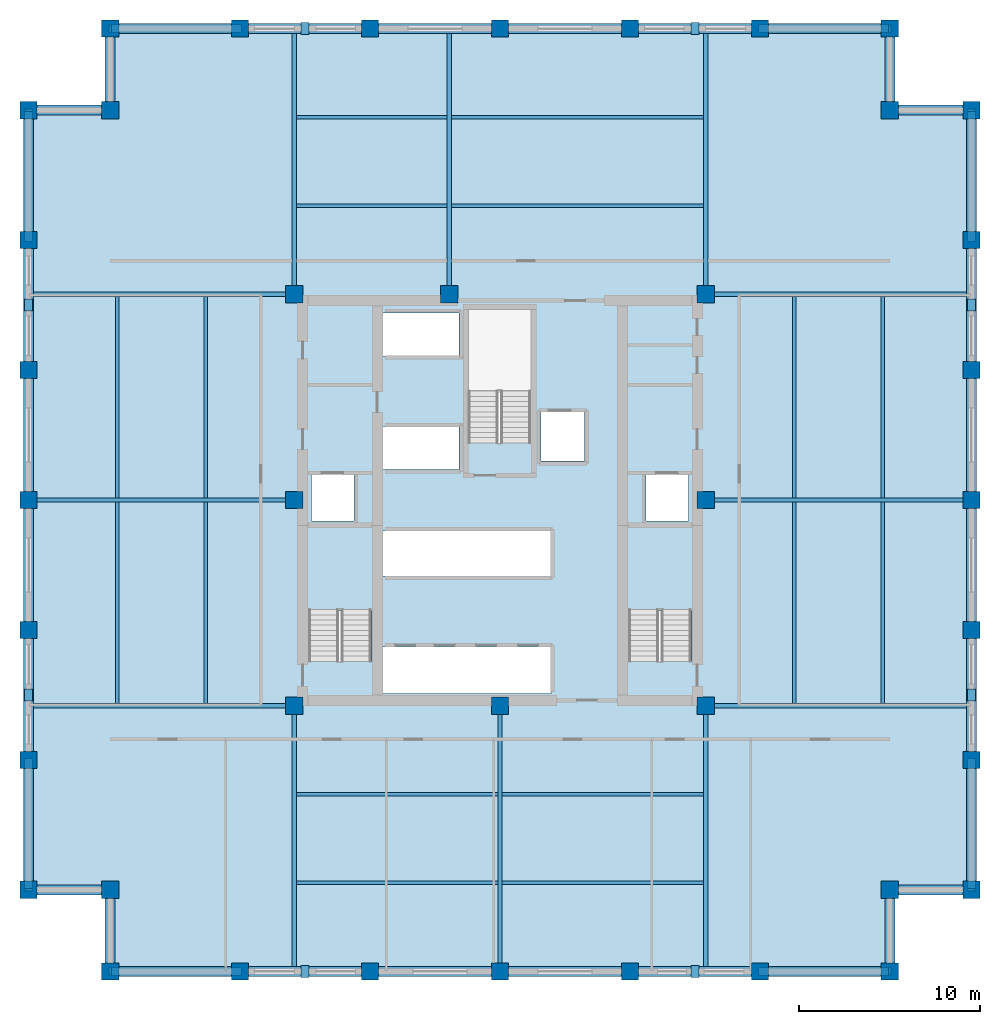
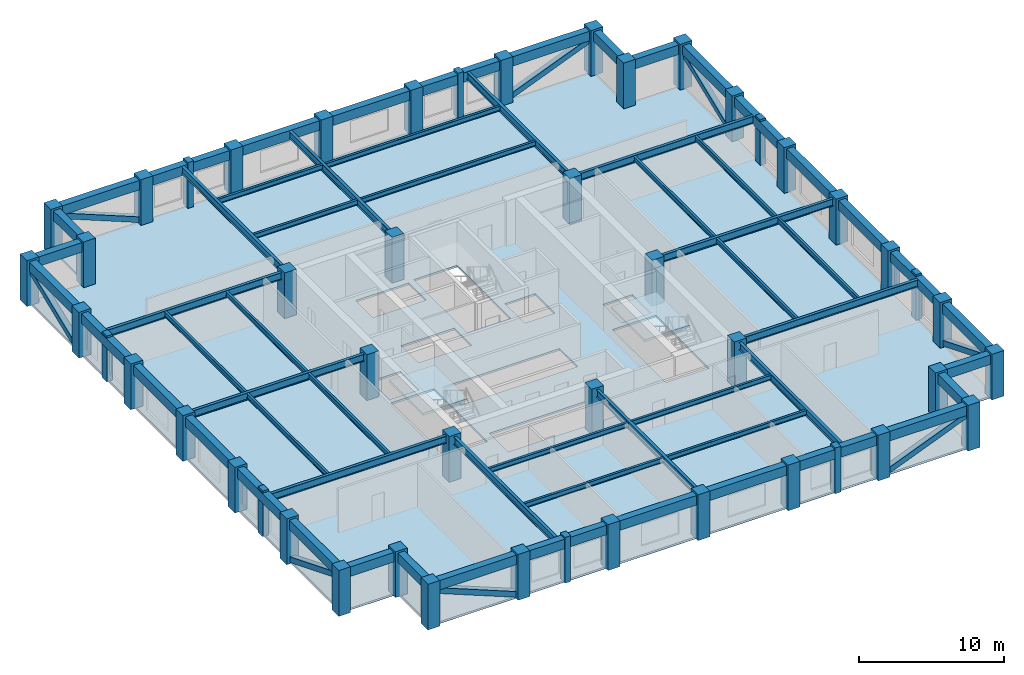
# One storey, part 1 of 6: 60 beams, 40 columns, 16 members, 3 slabs, 2 elements without a shape of their own.
"""IFC4 building model written with IfcOpenShell, lengths in metres."""

from ifc_helpers import new_model, si_unit, direction, frame, origin, origin_2d, place, context, subcontext, project, spatial, polyline, rectangle, hollow_rectangle, i_section, outline, extrude, material, layer, layer_set, material_profile, profile_set, type_object, element, aggregate, save


model = new_model("IFC4")

# Units and contexts
model_context = context("Model", 3, precision=1e-05, world=origin(), true_north=direction((0.0, 1.0)))
body_context = subcontext(model_context, "Body", "Model", "MODEL_VIEW")
ifc_project = project(units=[si_unit("LENGTHUNIT", "METRE"), si_unit("AREAUNIT", "SQUARE_METRE"), si_unit("VOLUMEUNIT", "CUBIC_METRE"), si_unit("PLANEANGLEUNIT", "RADIAN"), si_unit("MASSUNIT", "GRAM", prefix="KILO")], contexts=[model_context])

# Site, building, storey
site_placement = place(None, origin())
site = spatial("IfcSite", under=ifc_project, at=site_placement, CompositionType="ELEMENT")
building_placement = place(site_placement, origin())
building = spatial("IfcBuilding", under=site, at=building_placement, Name="Nhamokura Convention Tower", CompositionType="ELEMENT")
storey_placement = place(building_placement, frame((0.0, 0.0, 160.64990234375)))
storey = spatial("IfcBuildingStorey", under=building, at=storey_placement, Name="L39", CompositionType="ELEMENT", Elevation=160.64990234375)

# Columns
ifc_material_1 = material(Name="Concrete C60/75", Category="concrete")
ifc_material_profile_1 = material_profile(ifc_material_1, rectangle(XDim=0.949951171875, YDim=0.949951171875, at=origin_2d()))
ifc_profile_set_1 = profile_set([ifc_material_profile_1], Name="Concrete C60/75")
column_type = type_object("IfcColumnType", Name="TubeColumn_Z2_950", PredefinedType="COLUMN", material=ifc_profile_set_1)
for number, where, z_axis, x_axis, name in (
    (1, (20.64990234375, 20.64990234375, 0.0), (0.0, 0.0, 1.0), (1.0, 0.0, 0.0), "L39 Core Column CC-SW"),
    (2, (32.0, 20.64990234375, 0.0), (0.0, 0.0, 1.0), (1.0, 0.0, 0.0), "L39 Core Column CC-S"),
    (3, (43.35009765625, 20.64990234375, 0.0), (0.0, 0.0, 1.0), (1.0, 0.0, 0.0), "L39 Core Column CC-SE"),
    (4, (43.35009765625, 32.0, 0.0), (0.0, 0.0, 1.0), (1.0, 0.0, 0.0), "L39 Core Column CC-E"),
    (5, (43.35009765625, 43.35009765625, 0.0), (0.0, 0.0, 1.0), (1.0, 0.0, 0.0), "L39 Core Column CC-NE"),
    (6, (29.199951171875, 43.35009765625, 0.0), (0.0, 0.0, 1.0), (1.0, 0.0, 0.0), "L39 Core Column CC-N"),
    (7, (20.64990234375, 43.35009765625, 0.0), (0.0, 0.0, 1.0), (1.0, 0.0, 0.0), "L39 Core Column CC-NW"),
    (8, (20.64990234375, 32.0, 0.0), (0.0, 0.0, 1.0), (1.0, 0.0, 0.0), "L39 Core Column CC-W"),
    (9, (10.5, 6.0, 0.0), (0.0, 0.0, 1.0), (1.0, 0.0, 0.0), "L39 Perimeter Tube Column SW1"),
    (10, (10.5, 10.5, 0.0), (0.0, 0.0, 1.0), (1.0, 0.0, 0.0), "L39 Perimeter Tube Column SW0"),
    (11, (6.0, 10.5, 0.0), (0.0, 0.0, 1.0), (1.0, 0.0, 0.0), "L39 Perimeter Tube Column SW2"),
    (12, (53.5, 6.0, 0.0), (0.0, 0.0, 1.0), (1.0, 0.0, 0.0), "L39 Perimeter Tube Column SE1"),
    (13, (53.5, 10.5, 0.0), (0.0, 0.0, 1.0), (1.0, 0.0, 0.0), "L39 Perimeter Tube Column SE0"),
    (14, (58.0, 10.5, 0.0), (0.0, 0.0, 1.0), (1.0, 0.0, 0.0), "L39 Perimeter Tube Column SE2"),
    (15, (58.0, 53.5, 0.0), (0.0, 0.0, 1.0), (1.0, 0.0, 0.0), "L39 Perimeter Tube Column NE1"),
    (16, (53.5, 53.5, 0.0), (0.0, 0.0, 1.0), (1.0, 0.0, 0.0), "L39 Perimeter Tube Column NE0"),
    (17, (53.5, 58.0, 0.0), (0.0, 0.0, 1.0), (1.0, 0.0, 0.0), "L39 Perimeter Tube Column NE2"),
    (18, (10.5, 58.0, 0.0), (0.0, 0.0, 1.0), (1.0, 0.0, 0.0), "L39 Perimeter Tube Column NW1"),
    (19, (10.5, 53.5, 0.0), (0.0, 0.0, 1.0), (1.0, 0.0, 0.0), "L39 Perimeter Tube Column NW0"),
    (20, (6.0, 53.5, 0.0), (0.0, 0.0, 1.0), (1.0, 0.0, 0.0), "L39 Perimeter Tube Column NW2"),
    (21, (17.666748046875, 6.0, 0.0), (0.0, 0.0, 1.0), (1.0, 0.0, 0.0), "L39 Perimeter Tube Column S1"),
    (22, (17.666748046875, 58.0, 0.0), (0.0, 0.0, 1.0), (1.0, 0.0, 0.0), "L39 Perimeter Tube Column N1"),
    (23, (6.0, 17.666748046875, 0.0), (0.0, 0.0, 1.0), (1.0, 0.0, 0.0), "L39 Perimeter Tube Column W1"),
    (24, (58.0, 17.666748046875, 0.0), (0.0, 0.0, 1.0), (1.0, 0.0, 0.0), "L39 Perimeter Tube Column E1"),
    (25, (24.833251953125, 6.0, 0.0), (0.0, 0.0, 1.0), (1.0, 0.0, 0.0), "L39 Perimeter Tube Column S2"),
    (26, (24.833251953125, 58.0, 0.0), (0.0, 0.0, 1.0), (1.0, 0.0, 0.0), "L39 Perimeter Tube Column N2"),
    (27, (6.0, 24.833251953125, 0.0), (0.0, 0.0, 1.0), (1.0, 0.0, 0.0), "L39 Perimeter Tube Column W2"),
    (28, (58.0, 24.833251953125, 0.0), (0.0, 0.0, 1.0), (1.0, 0.0, 0.0), "L39 Perimeter Tube Column E2"),
    (29, (32.0, 6.0, 0.0), (0.0, 0.0, 1.0), (1.0, 0.0, 0.0), "L39 Perimeter Tube Column S3"),
    (30, (32.0, 58.0, 0.0), (0.0, 0.0, 1.0), (1.0, 0.0, 0.0), "L39 Perimeter Tube Column N3"),
    (31, (6.0, 32.0, 0.0), (0.0, 0.0, 1.0), (1.0, 0.0, 0.0), "L39 Perimeter Tube Column W3"),
    (32, (58.0, 32.0, 0.0), (0.0, 0.0, 1.0), (1.0, 0.0, 0.0), "L39 Perimeter Tube Column E3"),
    (33, (39.166748046875, 6.0, 0.0), (0.0, 0.0, 1.0), (1.0, 0.0, 0.0), "L39 Perimeter Tube Column S4"),
    (34, (39.166748046875, 58.0, 0.0), (0.0, 0.0, 1.0), (1.0, 0.0, 0.0), "L39 Perimeter Tube Column N4"),
    (35, (6.0, 39.166748046875, 0.0), (0.0, 0.0, 1.0), (1.0, 0.0, 0.0), "L39 Perimeter Tube Column W4"),
    (36, (58.0, 39.166748046875, 0.0), (0.0, 0.0, 1.0), (1.0, 0.0, 0.0), "L39 Perimeter Tube Column E4"),
    (37, (46.333251953125, 6.0, 0.0), (0.0, 0.0, 1.0), (1.0, 0.0, 0.0), "L39 Perimeter Tube Column S5"),
    (38, (46.333251953125, 58.0, 0.0), (0.0, 0.0, 1.0), (1.0, 0.0, 0.0), "L39 Perimeter Tube Column N5"),
    (39, (6.0, 46.333251953125, 0.0), (0.0, 0.0, 1.0), (1.0, 0.0, 0.0), "L39 Perimeter Tube Column W5"),
    (40, (58.0, 46.333251953125, 0.0), (0.0, 0.0, 1.0), (1.0, 0.0, 0.0), "L39 Perimeter Tube Column E5"),
):
    element("IfcColumn", number, at=place(storey_placement, frame(where, z_axis=z_axis, x_axis=x_axis)), inside=storey, type_object=column_type, Name=name, PredefinedType="COLUMN", context=body_context, shape_type="SweptSolid", body=[
        extrude(rectangle(XDim=0.949951171875, YDim=0.949951171875, at=origin_2d()), origin(), (0.0, 0.0, 1.0), 3.85009765625),
    ])

# Members
ifc_material_2 = material(Name="Bronze-pigmented precast concrete C45/55", Category="concrete")
ifc_material_profile_2 = material_profile(ifc_material_2, rectangle(XDim=0.449951171875, YDim=0.64990234375, at=origin_2d()))
ifc_profile_set_2 = profile_set([ifc_material_profile_2], Name="Bronze-pigmented precast concrete C45/55")
member_type_1 = type_object("IfcMemberType", Name="BronzePilaster_650", PredefinedType="USERDEFINED", material=ifc_profile_set_2)
for number, where, z_axis, x_axis, name in (
    (41, (21.25, 6.0, 0.0), (0.0, 0.0, 1.0), (1.0, 0.0, 0.0), "L39 Engaged Frame Pilaster SOUTH 1"),
    (42, (42.75, 6.0, 0.0), (0.0, 0.0, 1.0), (1.0, 0.0, 0.0), "L39 Engaged Frame Pilaster SOUTH 4"),
    (43, (21.25, 58.0, 0.0), (0.0, 0.0, 1.0), (1.0, 0.0, 0.0), "L39 Engaged Frame Pilaster NORTH 1"),
    (44, (42.75, 58.0, 0.0), (0.0, 0.0, 1.0), (1.0, 0.0, 0.0), "L39 Engaged Frame Pilaster NORTH 4"),
    (45, (6.0, 21.25, 0.0), (0.0, 0.0, 1.0), (1.0, 0.0, 0.0), "L39 Engaged Frame Pilaster WEST 1"),
    (46, (6.0, 42.75, 0.0), (0.0, 0.0, 1.0), (1.0, 0.0, 0.0), "L39 Engaged Frame Pilaster WEST 4"),
    (47, (58.0, 21.25, 0.0), (0.0, 0.0, 1.0), (1.0, 0.0, 0.0), "L39 Engaged Frame Pilaster EAST 1"),
    (48, (58.0, 42.75, 0.0), (0.0, 0.0, 1.0), (1.0, 0.0, 0.0), "L39 Engaged Frame Pilaster EAST 4"),
):
    element("IfcMember", number, at=place(storey_placement, frame(where, z_axis=z_axis, x_axis=x_axis)), inside=storey, type_object=member_type_1, Name=name, ObjectType="PILASTER_TRIM", PredefinedType="USERDEFINED", context=body_context, shape_type="SweptSolid", body=[
        extrude(rectangle(XDim=0.449951171875, YDim=0.64990234375, at=origin_2d()), origin(), (0.0, 0.0, 1.0), 3.85009765625),
    ])

# Beams
ifc_material_3 = material(Name="Steel ASTM A992 Gr 50", Category="steel")
ifc_material_profile_3 = material_profile(ifc_material_3, i_section(OverallWidth=0.177001953125, OverallDepth=0.403076171875, WebThickness=0.007568359375, FlangeThickness=0.010986328125, at=origin_2d()))
ifc_profile_set_3 = profile_set([ifc_material_profile_3], Name="Steel ASTM A992 Gr 50")
beam_type_1 = type_object("IfcBeamType", Name="FloorJoist_W410X53", PredefinedType="JOIST", material=ifc_profile_set_3)
for number, where, z_axis, x_axis, name in (
    (49, (20.761962890625, 10.88330078125, 3.483642578125), (1.0, 0.0, 0.0), (0.0, 1.0, 0.0), "L39 Composite Floor Joist S1A"),
    (50, (32.112060546875, 10.88330078125, 3.483642578125), (1.0, 0.0, 0.0), (0.0, 1.0, 0.0), "L39 Composite Floor Joist S1B"),
    (51, (20.761962890625, 15.7666015625, 3.483642578125), (1.0, 0.0, 0.0), (0.0, 1.0, 0.0), "L39 Composite Floor Joist S2A"),
    (52, (32.112060546875, 15.7666015625, 3.483642578125), (1.0, 0.0, 0.0), (0.0, 1.0, 0.0), "L39 Composite Floor Joist S2B"),
):
    element("IfcBeam", number, at=place(storey_placement, frame(where, z_axis=z_axis, x_axis=x_axis)), inside=storey, type_object=beam_type_1, Name=name, PredefinedType="JOIST", context=body_context, shape_type="SweptSolid", body=[
        extrude(i_section(OverallWidth=0.177001953125, OverallDepth=0.403076171875, WebThickness=0.007568359375, FlangeThickness=0.010986328125, at=origin_2d()), origin(), (0.0, 0.0, 1.0), 11.1259765625),
    ])
beam_1_placement = place(storey_placement, frame((20.761962890625, 48.2333984375, 3.483642578125), z_axis=(1.0, 0.0, 0.0), x_axis=(0.0, 1.0, 0.0)))
element("IfcBeam", 53, at=beam_1_placement, inside=storey, type_object=beam_type_1, Name="L39 Composite Floor Joist N1A", PredefinedType="JOIST", context=body_context, shape_type="SweptSolid", body=[
    extrude(i_section(OverallWidth=0.177001953125, OverallDepth=0.403076171875, WebThickness=0.007568359375, FlangeThickness=0.010986328125, at=origin_2d()), origin(), (0.0, 0.0, 1.0), 8.325927734375),
])
beam_2_placement = place(storey_placement, frame((29.31201171875, 48.2333984375, 3.483642578125), z_axis=(1.0, 0.0, 0.0), x_axis=(0.0, 1.0, 0.0)))
element("IfcBeam", 54, at=beam_2_placement, inside=storey, type_object=beam_type_1, Name="L39 Composite Floor Joist N1B", PredefinedType="JOIST", context=body_context, shape_type="SweptSolid", body=[
    extrude(i_section(OverallWidth=0.177001953125, OverallDepth=0.403076171875, WebThickness=0.007568359375, FlangeThickness=0.010986328125, at=origin_2d()), origin(), (0.0, 0.0, 1.0), 13.926025390625),
])
beam_3_placement = place(storey_placement, frame((20.761962890625, 53.11669921875, 3.483642578125), z_axis=(1.0, 0.0, 0.0), x_axis=(0.0, 1.0, 0.0)))
element("IfcBeam", 55, at=beam_3_placement, inside=storey, type_object=beam_type_1, Name="L39 Composite Floor Joist N2A", PredefinedType="JOIST", context=body_context, shape_type="SweptSolid", body=[
    extrude(i_section(OverallWidth=0.177001953125, OverallDepth=0.403076171875, WebThickness=0.007568359375, FlangeThickness=0.010986328125, at=origin_2d()), origin(), (0.0, 0.0, 1.0), 8.325927734375),
])
beam_4_placement = place(storey_placement, frame((29.31201171875, 53.11669921875, 3.483642578125), z_axis=(1.0, 0.0, 0.0), x_axis=(0.0, 1.0, 0.0)))
element("IfcBeam", 56, at=beam_4_placement, inside=storey, type_object=beam_type_1, Name="L39 Composite Floor Joist N2B", PredefinedType="JOIST", context=body_context, shape_type="SweptSolid", body=[
    extrude(i_section(OverallWidth=0.177001953125, OverallDepth=0.403076171875, WebThickness=0.007568359375, FlangeThickness=0.010986328125, at=origin_2d()), origin(), (0.0, 0.0, 1.0), 13.926025390625),
])
for number, where, z_axis, x_axis, name in (
    (57, (10.88330078125, 20.761962890625, 3.483642578125), (0.0, 1.0, 0.0), (-1.0, 0.0, 0.0), "L39 Composite Floor Joist W1A"),
    (58, (10.88330078125, 32.112060546875, 3.483642578125), (0.0, 1.0, 0.0), (-1.0, 0.0, 0.0), "L39 Composite Floor Joist W1B"),
    (59, (15.7666015625, 20.761962890625, 3.483642578125), (0.0, 1.0, 0.0), (-1.0, 0.0, 0.0), "L39 Composite Floor Joist W2A"),
    (60, (15.7666015625, 32.112060546875, 3.483642578125), (0.0, 1.0, 0.0), (-1.0, 0.0, 0.0), "L39 Composite Floor Joist W2B"),
    (61, (48.2333984375, 20.761962890625, 3.483642578125), (0.0, 1.0, 0.0), (-1.0, 0.0, 0.0), "L39 Composite Floor Joist E1A"),
    (62, (48.2333984375, 32.112060546875, 3.483642578125), (0.0, 1.0, 0.0), (-1.0, 0.0, 0.0), "L39 Composite Floor Joist E1B"),
    (63, (53.11669921875, 20.761962890625, 3.483642578125), (0.0, 1.0, 0.0), (-1.0, 0.0, 0.0), "L39 Composite Floor Joist E2A"),
    (64, (53.11669921875, 32.112060546875, 3.483642578125), (0.0, 1.0, 0.0), (-1.0, 0.0, 0.0), "L39 Composite Floor Joist E2B"),
):
    element("IfcBeam", number, at=place(storey_placement, frame(where, z_axis=z_axis, x_axis=x_axis)), inside=storey, type_object=beam_type_1, Name=name, PredefinedType="JOIST", context=body_context, shape_type="SweptSolid", body=[
        extrude(i_section(OverallWidth=0.177001953125, OverallDepth=0.403076171875, WebThickness=0.007568359375, FlangeThickness=0.010986328125, at=origin_2d()), origin(), (0.0, 0.0, 1.0), 11.1259765625),
    ])
ifc_material_4 = material(Name="Steel ASTM A992 Gr 50", Category="steel")
ifc_material_profile_4 = material_profile(ifc_material_4, i_section(OverallWidth=0.22802734375, OverallDepth=0.60791015625, WebThickness=0.01123046875, FlangeThickness=0.017333984375, at=origin_2d()))
ifc_profile_set_4 = profile_set([ifc_material_profile_4], Name="Steel ASTM A992 Gr 50")
beam_type_2 = type_object("IfcBeamType", Name="PrimaryGirder_W610X113", PredefinedType="BEAM", material=ifc_profile_set_4)
for number, where, z_axis, x_axis, name in (
    (65, (20.64990234375, 6.0, 3.381103515625), (0.0, 1.0, 0.0), (-1.0, 0.0, 0.0), "L39 Primary Floor Girder PG-S1"),
    (66, (32.0, 6.0, 3.381103515625), (0.0, 1.0, 0.0), (-1.0, 0.0, 0.0), "L39 Primary Floor Girder PG-S2"),
    (67, (43.35009765625, 6.0, 3.381103515625), (0.0, 1.0, 0.0), (-1.0, 0.0, 0.0), "L39 Primary Floor Girder PG-S3"),
    (68, (20.64990234375, 43.35009765625, 3.381103515625), (0.0, 1.0, 0.0), (-1.0, 0.0, 0.0), "L39 Primary Floor Girder PG-N1"),
    (69, (29.199951171875, 43.35009765625, 3.381103515625), (0.0, 1.0, 0.0), (-1.0, 0.0, 0.0), "L39 Primary Floor Girder PG-N2"),
    (70, (43.35009765625, 43.35009765625, 3.381103515625), (0.0, 1.0, 0.0), (-1.0, 0.0, 0.0), "L39 Primary Floor Girder PG-N3"),
    (71, (6.0, 20.64990234375, 3.381103515625), (1.0, 0.0, 0.0), (0.0, 1.0, 0.0), "L39 Primary Floor Girder PG-W1"),
    (72, (6.0, 32.0, 3.381103515625), (1.0, 0.0, 0.0), (0.0, 1.0, 0.0), "L39 Primary Floor Girder PG-W2"),
    (73, (6.0, 43.35009765625, 3.381103515625), (1.0, 0.0, 0.0), (0.0, 1.0, 0.0), "L39 Primary Floor Girder PG-W3"),
    (74, (43.35009765625, 20.64990234375, 3.381103515625), (1.0, 0.0, 0.0), (0.0, 1.0, 0.0), "L39 Primary Floor Girder PG-E1"),
    (75, (43.35009765625, 32.0, 3.381103515625), (1.0, 0.0, 0.0), (0.0, 1.0, 0.0), "L39 Primary Floor Girder PG-E2"),
    (76, (43.35009765625, 43.35009765625, 3.381103515625), (1.0, 0.0, 0.0), (0.0, 1.0, 0.0), "L39 Primary Floor Girder PG-E3"),
):
    element("IfcBeam", number, at=place(storey_placement, frame(where, z_axis=z_axis, x_axis=x_axis)), inside=storey, type_object=beam_type_2, Name=name, PredefinedType="BEAM", context=body_context, shape_type="SweptSolid", body=[
        extrude(i_section(OverallWidth=0.22802734375, OverallDepth=0.60791015625, WebThickness=0.01123046875, FlangeThickness=0.017333984375, at=origin_2d()), origin(), (0.0, 0.0, 1.0), 14.64990234375),
    ])

# Members
ifc_material_5 = material(Name="Steel ASTM A572 Gr 50", Category="steel")
ifc_material_profile_5 = material_profile(ifc_material_5, hollow_rectangle(XDim=0.449951171875, YDim=0.449951171875, WallThickness=0.02197265625, at=origin_2d()))
ifc_profile_set_5 = profile_set([ifc_material_profile_5], Name="Steel ASTM A572 Gr 50")
member_type_2 = type_object("IfcMemberType", Name="TubeBrace_HSS450", PredefinedType="BRACE", material=ifc_profile_set_5)
for number, where, z_axis, x_axis, name in (
    (77, (17.666748046875, 6.0, 0.150146484375), (-0.927657166893, 0.0, 0.373432966826), (0.0, -1.0, 0.0), "L39 Perimeter Tube Brace SOUTH Bay 0"),
    (78, (46.333251953125, 6.0, 0.150146484375), (0.927657166893, 0.0, 0.373432966826), (0.0, 1.0, 0.0), "L39 Perimeter Tube Brace SOUTH Bay 5"),
    (79, (17.666748046875, 58.0, 0.150146484375), (-0.927657166893, 0.0, 0.373432966826), (0.0, -1.0, 0.0), "L39 Perimeter Tube Brace NORTH Bay 0"),
    (80, (46.333251953125, 58.0, 0.150146484375), (0.927657166893, 0.0, 0.373432966826), (0.0, 1.0, 0.0), "L39 Perimeter Tube Brace NORTH Bay 5"),
    (81, (6.0, 17.666748046875, 0.150146484375), (0.0, -0.927657166893, 0.373432966826), (1.0, 0.0, 0.0), "L39 Perimeter Tube Brace WEST Bay 0"),
    (82, (6.0, 46.333251953125, 0.150146484375), (0.0, 0.927657166893, 0.373432966826), (-1.0, 0.0, 0.0), "L39 Perimeter Tube Brace WEST Bay 5"),
    (83, (58.0, 17.666748046875, 0.150146484375), (0.0, -0.927657166893, 0.373432966826), (1.0, 0.0, 0.0), "L39 Perimeter Tube Brace EAST Bay 0"),
    (84, (58.0, 46.333251953125, 0.150146484375), (0.0, 0.927657166893, 0.373432966826), (-1.0, 0.0, 0.0), "L39 Perimeter Tube Brace EAST Bay 5"),
):
    element("IfcMember", number, at=place(storey_placement, frame(where, z_axis=z_axis, x_axis=x_axis)), inside=storey, type_object=member_type_2, Name=name, PredefinedType="BRACE", context=body_context, shape_type="SweptSolid", body=[
        extrude(hollow_rectangle(XDim=0.449951171875, YDim=0.449951171875, WallThickness=0.02197265625, at=origin_2d()), origin(), (0.0, 0.0, 1.0), 7.7255859375),
    ])

# Beams
ifc_material_6 = material(Name="Concrete C50/60", Category="concrete")
ifc_material_profile_6 = material_profile(ifc_material_6, rectangle(XDim=0.550048828125, YDim=0.800048828125, at=origin_2d()))
ifc_profile_set_6 = profile_set([ifc_material_profile_6], Name="Concrete C50/60")
beam_type_3 = type_object("IfcBeamType", Name="TubeSpandrel_800", PredefinedType="SPANDREL", material=ifc_profile_set_6)
beam_5_placement = place(storey_placement, frame((10.5, 6.0, 3.28515625), z_axis=(1.0, 0.0, 0.0), x_axis=(0.0, 1.0, 0.0)))
element("IfcBeam", 85, at=beam_5_placement, inside=storey, type_object=beam_type_3, Name="L39 Perimeter Spandrel SOUTH 1", PredefinedType="SPANDREL", context=body_context, shape_type="SweptSolid", body=[
    extrude(rectangle(XDim=0.550048828125, YDim=0.800048828125, at=origin_2d()), origin(), (0.0, 0.0, 1.0), 7.166748046875),
])
beam_6_placement = place(storey_placement, frame((17.666748046875, 6.0, 3.28515625), z_axis=(1.0, 0.0, 0.0), x_axis=(0.0, 1.0, 0.0)))
element("IfcBeam", 86, at=beam_6_placement, inside=storey, type_object=beam_type_3, Name="L39 Perimeter Spandrel SOUTH 2", PredefinedType="SPANDREL", context=body_context, shape_type="SweptSolid", body=[
    extrude(rectangle(XDim=0.550048828125, YDim=0.800048828125, at=origin_2d()), origin(), (0.0, 0.0, 1.0), 7.16650390625),
])
for number, where, z_axis, x_axis, name in (
    (87, (24.833251953125, 6.0, 3.28515625), (1.0, 0.0, 0.0), (0.0, 1.0, 0.0), "L39 Perimeter Spandrel SOUTH 3"),
    (88, (32.0, 6.0, 3.28515625), (1.0, 0.0, 0.0), (0.0, 1.0, 0.0), "L39 Perimeter Spandrel SOUTH 4"),
):
    element("IfcBeam", number, at=place(storey_placement, frame(where, z_axis=z_axis, x_axis=x_axis)), inside=storey, type_object=beam_type_3, Name=name, PredefinedType="SPANDREL", context=body_context, shape_type="SweptSolid", body=[
        extrude(rectangle(XDim=0.550048828125, YDim=0.800048828125, at=origin_2d()), origin(), (0.0, 0.0, 1.0), 7.166748046875),
    ])
beam_7_placement = place(storey_placement, frame((39.166748046875, 6.0, 3.28515625), z_axis=(1.0, 0.0, 0.0), x_axis=(0.0, 1.0, 0.0)))
element("IfcBeam", 89, at=beam_7_placement, inside=storey, type_object=beam_type_3, Name="L39 Perimeter Spandrel SOUTH 5", PredefinedType="SPANDREL", context=body_context, shape_type="SweptSolid", body=[
    extrude(rectangle(XDim=0.550048828125, YDim=0.800048828125, at=origin_2d()), origin(), (0.0, 0.0, 1.0), 7.16650390625),
])
for number, where, z_axis, x_axis, name in (
    (90, (46.333251953125, 6.0, 3.28515625), (1.0, 0.0, 0.0), (0.0, 1.0, 0.0), "L39 Perimeter Spandrel SOUTH 6"),
    (91, (10.5, 58.0, 3.28515625), (1.0, 0.0, 0.0), (0.0, 1.0, 0.0), "L39 Perimeter Spandrel NORTH 1"),
):
    element("IfcBeam", number, at=place(storey_placement, frame(where, z_axis=z_axis, x_axis=x_axis)), inside=storey, type_object=beam_type_3, Name=name, PredefinedType="SPANDREL", context=body_context, shape_type="SweptSolid", body=[
        extrude(rectangle(XDim=0.550048828125, YDim=0.800048828125, at=origin_2d()), origin(), (0.0, 0.0, 1.0), 7.166748046875),
    ])
beam_8_placement = place(storey_placement, frame((17.666748046875, 58.0, 3.28515625), z_axis=(1.0, 0.0, 0.0), x_axis=(0.0, 1.0, 0.0)))
element("IfcBeam", 92, at=beam_8_placement, inside=storey, type_object=beam_type_3, Name="L39 Perimeter Spandrel NORTH 2", PredefinedType="SPANDREL", context=body_context, shape_type="SweptSolid", body=[
    extrude(rectangle(XDim=0.550048828125, YDim=0.800048828125, at=origin_2d()), origin(), (0.0, 0.0, 1.0), 7.16650390625),
])
for number, where, z_axis, x_axis, name in (
    (93, (24.833251953125, 58.0, 3.28515625), (1.0, 0.0, 0.0), (0.0, 1.0, 0.0), "L39 Perimeter Spandrel NORTH 3"),
    (94, (32.0, 58.0, 3.28515625), (1.0, 0.0, 0.0), (0.0, 1.0, 0.0), "L39 Perimeter Spandrel NORTH 4"),
):
    element("IfcBeam", number, at=place(storey_placement, frame(where, z_axis=z_axis, x_axis=x_axis)), inside=storey, type_object=beam_type_3, Name=name, PredefinedType="SPANDREL", context=body_context, shape_type="SweptSolid", body=[
        extrude(rectangle(XDim=0.550048828125, YDim=0.800048828125, at=origin_2d()), origin(), (0.0, 0.0, 1.0), 7.166748046875),
    ])
beam_9_placement = place(storey_placement, frame((39.166748046875, 58.0, 3.28515625), z_axis=(1.0, 0.0, 0.0), x_axis=(0.0, 1.0, 0.0)))
element("IfcBeam", 95, at=beam_9_placement, inside=storey, type_object=beam_type_3, Name="L39 Perimeter Spandrel NORTH 5", PredefinedType="SPANDREL", context=body_context, shape_type="SweptSolid", body=[
    extrude(rectangle(XDim=0.550048828125, YDim=0.800048828125, at=origin_2d()), origin(), (0.0, 0.0, 1.0), 7.16650390625),
])
for number, where, z_axis, x_axis, name in (
    (96, (46.333251953125, 58.0, 3.28515625), (1.0, 0.0, 0.0), (0.0, 1.0, 0.0), "L39 Perimeter Spandrel NORTH 6"),
    (97, (6.0, 10.5, 3.28515625), (0.0, 1.0, 0.0), (-1.0, 0.0, 0.0), "L39 Perimeter Spandrel WEST 1"),
):
    element("IfcBeam", number, at=place(storey_placement, frame(where, z_axis=z_axis, x_axis=x_axis)), inside=storey, type_object=beam_type_3, Name=name, PredefinedType="SPANDREL", context=body_context, shape_type="SweptSolid", body=[
        extrude(rectangle(XDim=0.550048828125, YDim=0.800048828125, at=origin_2d()), origin(), (0.0, 0.0, 1.0), 7.166748046875),
    ])
beam_10_placement = place(storey_placement, frame((6.0, 17.666748046875, 3.28515625), z_axis=(0.0, 1.0, 0.0), x_axis=(-1.0, 0.0, 0.0)))
element("IfcBeam", 98, at=beam_10_placement, inside=storey, type_object=beam_type_3, Name="L39 Perimeter Spandrel WEST 2", PredefinedType="SPANDREL", context=body_context, shape_type="SweptSolid", body=[
    extrude(rectangle(XDim=0.550048828125, YDim=0.800048828125, at=origin_2d()), origin(), (0.0, 0.0, 1.0), 7.16650390625),
])
for number, where, z_axis, x_axis, name in (
    (99, (6.0, 24.833251953125, 3.28515625), (0.0, 1.0, 0.0), (-1.0, 0.0, 0.0), "L39 Perimeter Spandrel WEST 3"),
    (100, (6.0, 32.0, 3.28515625), (0.0, 1.0, 0.0), (-1.0, 0.0, 0.0), "L39 Perimeter Spandrel WEST 4"),
):
    element("IfcBeam", number, at=place(storey_placement, frame(where, z_axis=z_axis, x_axis=x_axis)), inside=storey, type_object=beam_type_3, Name=name, PredefinedType="SPANDREL", context=body_context, shape_type="SweptSolid", body=[
        extrude(rectangle(XDim=0.550048828125, YDim=0.800048828125, at=origin_2d()), origin(), (0.0, 0.0, 1.0), 7.166748046875),
    ])
beam_11_placement = place(storey_placement, frame((6.0, 39.166748046875, 3.28515625), z_axis=(0.0, 1.0, 0.0), x_axis=(-1.0, 0.0, 0.0)))
element("IfcBeam", 101, at=beam_11_placement, inside=storey, type_object=beam_type_3, Name="L39 Perimeter Spandrel WEST 5", PredefinedType="SPANDREL", context=body_context, shape_type="SweptSolid", body=[
    extrude(rectangle(XDim=0.550048828125, YDim=0.800048828125, at=origin_2d()), origin(), (0.0, 0.0, 1.0), 7.16650390625),
])
for number, where, z_axis, x_axis, name in (
    (102, (6.0, 46.333251953125, 3.28515625), (0.0, 1.0, 0.0), (-1.0, 0.0, 0.0), "L39 Perimeter Spandrel WEST 6"),
    (103, (58.0, 10.5, 3.28515625), (0.0, 1.0, 0.0), (-1.0, 0.0, 0.0), "L39 Perimeter Spandrel EAST 1"),
):
    element("IfcBeam", number, at=place(storey_placement, frame(where, z_axis=z_axis, x_axis=x_axis)), inside=storey, type_object=beam_type_3, Name=name, PredefinedType="SPANDREL", context=body_context, shape_type="SweptSolid", body=[
        extrude(rectangle(XDim=0.550048828125, YDim=0.800048828125, at=origin_2d()), origin(), (0.0, 0.0, 1.0), 7.166748046875),
    ])
beam_12_placement = place(storey_placement, frame((58.0, 17.666748046875, 3.28515625), z_axis=(0.0, 1.0, 0.0), x_axis=(-1.0, 0.0, 0.0)))
element("IfcBeam", 104, at=beam_12_placement, inside=storey, type_object=beam_type_3, Name="L39 Perimeter Spandrel EAST 2", PredefinedType="SPANDREL", context=body_context, shape_type="SweptSolid", body=[
    extrude(rectangle(XDim=0.550048828125, YDim=0.800048828125, at=origin_2d()), origin(), (0.0, 0.0, 1.0), 7.16650390625),
])
for number, where, z_axis, x_axis, name in (
    (105, (58.0, 24.833251953125, 3.28515625), (0.0, 1.0, 0.0), (-1.0, 0.0, 0.0), "L39 Perimeter Spandrel EAST 3"),
    (106, (58.0, 32.0, 3.28515625), (0.0, 1.0, 0.0), (-1.0, 0.0, 0.0), "L39 Perimeter Spandrel EAST 4"),
):
    element("IfcBeam", number, at=place(storey_placement, frame(where, z_axis=z_axis, x_axis=x_axis)), inside=storey, type_object=beam_type_3, Name=name, PredefinedType="SPANDREL", context=body_context, shape_type="SweptSolid", body=[
        extrude(rectangle(XDim=0.550048828125, YDim=0.800048828125, at=origin_2d()), origin(), (0.0, 0.0, 1.0), 7.166748046875),
    ])
beam_13_placement = place(storey_placement, frame((58.0, 39.166748046875, 3.28515625), z_axis=(0.0, 1.0, 0.0), x_axis=(-1.0, 0.0, 0.0)))
element("IfcBeam", 107, at=beam_13_placement, inside=storey, type_object=beam_type_3, Name="L39 Perimeter Spandrel EAST 5", PredefinedType="SPANDREL", context=body_context, shape_type="SweptSolid", body=[
    extrude(rectangle(XDim=0.550048828125, YDim=0.800048828125, at=origin_2d()), origin(), (0.0, 0.0, 1.0), 7.16650390625),
])
beam_14_placement = place(storey_placement, frame((58.0, 46.333251953125, 3.28515625), z_axis=(0.0, 1.0, 0.0), x_axis=(-1.0, 0.0, 0.0)))
element("IfcBeam", 108, at=beam_14_placement, inside=storey, type_object=beam_type_3, Name="L39 Perimeter Spandrel EAST 6", PredefinedType="SPANDREL", context=body_context, shape_type="SweptSolid", body=[
    extrude(rectangle(XDim=0.550048828125, YDim=0.800048828125, at=origin_2d()), origin(), (0.0, 0.0, 1.0), 7.166748046875),
])
for number, where, z_axis, x_axis, name in (
    (109, (10.5, 6.0, 3.28515625), (0.0, 1.0, 0.0), (-1.0, 0.0, 0.0), "L39 Notch Spandrel SW1"),
    (110, (10.5, 10.5, 3.28515625), (-1.0, 0.0, 0.0), (0.0, -1.0, 0.0), "L39 Notch Spandrel SW2"),
    (111, (53.5, 6.0, 3.28515625), (0.0, 1.0, 0.0), (-1.0, 0.0, 0.0), "L39 Notch Spandrel SE1"),
    (112, (53.5, 10.5, 3.28515625), (1.0, 0.0, 0.0), (0.0, 1.0, 0.0), "L39 Notch Spandrel SE2"),
    (113, (58.0, 53.5, 3.28515625), (-1.0, 0.0, 0.0), (0.0, -1.0, 0.0), "L39 Notch Spandrel NE1"),
    (114, (53.5, 53.5, 3.28515625), (0.0, 1.0, 0.0), (-1.0, 0.0, 0.0), "L39 Notch Spandrel NE2"),
    (115, (10.5, 58.0, 3.28515625), (0.0, -1.0, 0.0), (1.0, 0.0, 0.0), "L39 Notch Spandrel NW1"),
    (116, (10.5, 53.5, 3.28515625), (-1.0, 0.0, 0.0), (0.0, -1.0, 0.0), "L39 Notch Spandrel NW2"),
):
    element("IfcBeam", number, at=place(storey_placement, frame(where, z_axis=z_axis, x_axis=x_axis)), inside=storey, type_object=beam_type_3, Name=name, PredefinedType="SPANDREL", context=body_context, shape_type="SweptSolid", body=[
        extrude(rectangle(XDim=0.550048828125, YDim=0.800048828125, at=origin_2d()), origin(), (0.0, 0.0, 1.0), 4.5),
    ])

# Slab
ifc_material_7 = material(Name="Concrete C40/50", Category="concrete")
ifc_layer_1 = layer(ifc_material_7, 0.1650390625)
ifc_layer_set_1 = layer_set([ifc_layer_1], Name="OfficeFloorSlab_165")
slab_type_1 = type_object("IfcSlabType", Name="OfficeFloorSlab_165", PredefinedType="FLOOR", material=ifc_layer_set_1)
slab_1_placement = place(storey_placement, frame((0.0, 0.0, -0.164794921875)))
element("IfcSlab", 117, at=slab_1_placement, inside=storey, type_object=slab_type_1, Name="L39 Structural Floor Slab", PredefinedType="FLOOR", context=body_context, shape_type="SweptSolid", body=[
    extrude(outline(polyline([(10.5, 6.0), (53.5, 6.0), (53.5, 10.5), (58.0, 10.5), (58.0, 53.5), (53.5, 53.5), (53.5, 58.0), (10.5, 58.0), (10.5, 53.5), (6.0, 53.5), (6.0, 10.5), (10.5, 10.5), (10.5, 6.0)]), holes=[polyline([(24.89990234375, 23.10009765625), (24.89990234375, 30.449951171875), (21.449951171875, 30.449951171875), (21.449951171875, 23.10009765625), (24.89990234375, 23.10009765625)]), polyline([(42.550048828125, 23.10009765625), (42.550048828125, 30.449951171875), (39.10009765625, 30.449951171875), (39.10009765625, 23.10009765625), (42.550048828125, 23.10009765625)]), polyline([(33.699951171875, 35.14990234375), (33.699951171875, 42.5), (30.25, 42.5), (30.25, 35.14990234375), (33.699951171875, 35.14990234375)]), polyline([(21.60009765625, 30.85009765625), (23.949951171875, 30.85009765625), (23.949951171875, 33.39990234375), (21.60009765625, 33.39990234375), (21.60009765625, 30.85009765625)]), polyline([(40.050048828125, 30.85009765625), (42.39990234375, 30.85009765625), (42.39990234375, 33.39990234375), (40.050048828125, 33.39990234375), (40.050048828125, 30.85009765625)]), polyline([(34.25, 34.14990234375), (36.64990234375, 34.14990234375), (36.64990234375, 36.85009765625), (34.25, 36.85009765625), (34.25, 34.14990234375)]), polyline([(25.52001953125, 21.320068359375), (34.800048828125, 21.320068359375), (34.800048828125, 23.89990234375), (25.52001953125, 23.89990234375), (25.52001953125, 21.320068359375)]), polyline([(25.52001953125, 27.800048828125), (34.800048828125, 27.800048828125), (34.800048828125, 30.300048828125), (25.52001953125, 30.300048828125), (25.52001953125, 27.800048828125)]), polyline([(25.52001953125, 33.679931640625), (29.75, 33.679931640625), (29.75, 36.050048828125), (25.52001953125, 36.050048828125), (25.52001953125, 33.679931640625)]), polyline([(25.52001953125, 39.949951171875), (29.75, 39.949951171875), (29.75, 42.320068359375), (25.52001953125, 42.320068359375), (25.52001953125, 39.949951171875)])]), origin(), (0.0, 0.0, 1.0), 0.164794921875),
])

# Stair, slab
ifc_material_8 = material(Name="Concrete C40/50", Category="concrete")
stair_type = type_object("IfcStairType", Name="TowerCoreStair_1650", PredefinedType="HALF_TURN_STAIR", material=ifc_material_8)
stair_1_placement = place(storey_placement, origin())
stair_1 = element("IfcStair", 118, at=stair_1_placement, inside=storey, type_object=stair_type, Name="L39 West Core Smokeproof Stair ST-01", PredefinedType="HALF_TURN_STAIR")
ifc_material_9 = material(Name="Concrete C40/50", Category="concrete")
ifc_layer_2 = layer(ifc_material_9, 0.199951171875)
ifc_layer_set_2 = layer_set([ifc_layer_2], Name="StairLandingSlab_200")
slab_type_2 = type_object("IfcSlabType", Name="StairLandingSlab_200", PredefinedType="LANDING", material=ifc_layer_set_2)
slab_2_placement = place(storey_placement, frame((0.0, 0.0, 1.72509765625)))
slab_2 = element("IfcSlab", 119, at=slab_2_placement, type_object=slab_type_2, Name="ST-01 landing 1", PredefinedType="LANDING", context=body_context, shape_type="SweptSolid", body=[
    extrude(outline(polyline([(24.97998046875, 25.8701171875), (24.97998046875, 30.530029296875), (21.3701171875, 30.530029296875), (21.3701171875, 25.8701171875), (24.97998046875, 25.8701171875)])), origin(), (0.0, 0.0, 1.0), 0.199951171875),
])
aggregate(stair_1, [slab_2])

stair_2_placement = place(storey_placement, origin())
stair_2 = element("IfcStair", 120, at=stair_2_placement, inside=storey, type_object=stair_type, Name="L39 East Core Smokeproof Stair ST-02", PredefinedType="HALF_TURN_STAIR")
slab_3_placement = place(storey_placement, frame((0.0, 0.0, 1.72509765625)))
slab_3 = element("IfcSlab", 121, at=slab_3_placement, type_object=slab_type_2, Name="ST-02 landing 1", PredefinedType="LANDING", context=body_context, shape_type="SweptSolid", body=[
    extrude(outline(polyline([(42.6298828125, 25.8701171875), (42.6298828125, 30.530029296875), (39.02001953125, 30.530029296875), (39.02001953125, 25.8701171875), (42.6298828125, 25.8701171875)])), origin(), (0.0, 0.0, 1.0), 0.199951171875),
])
aggregate(stair_2, [slab_3])

save(model, "model.ifc")
